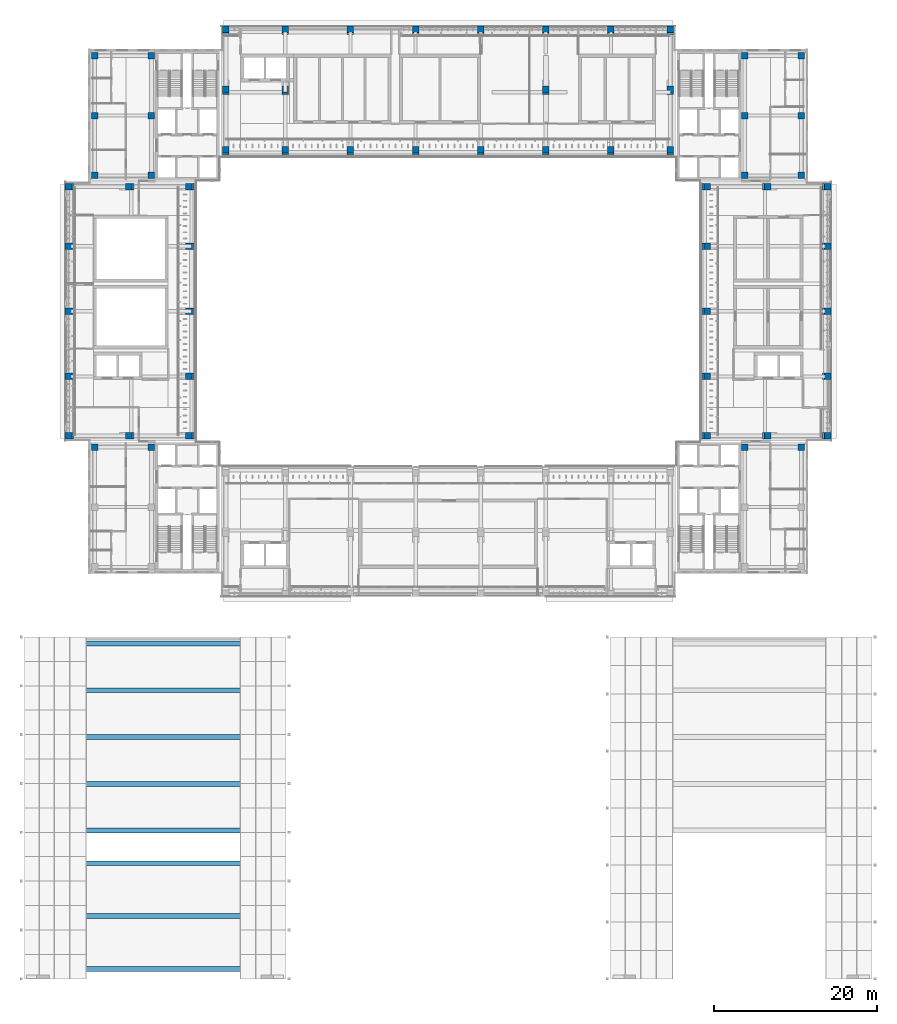
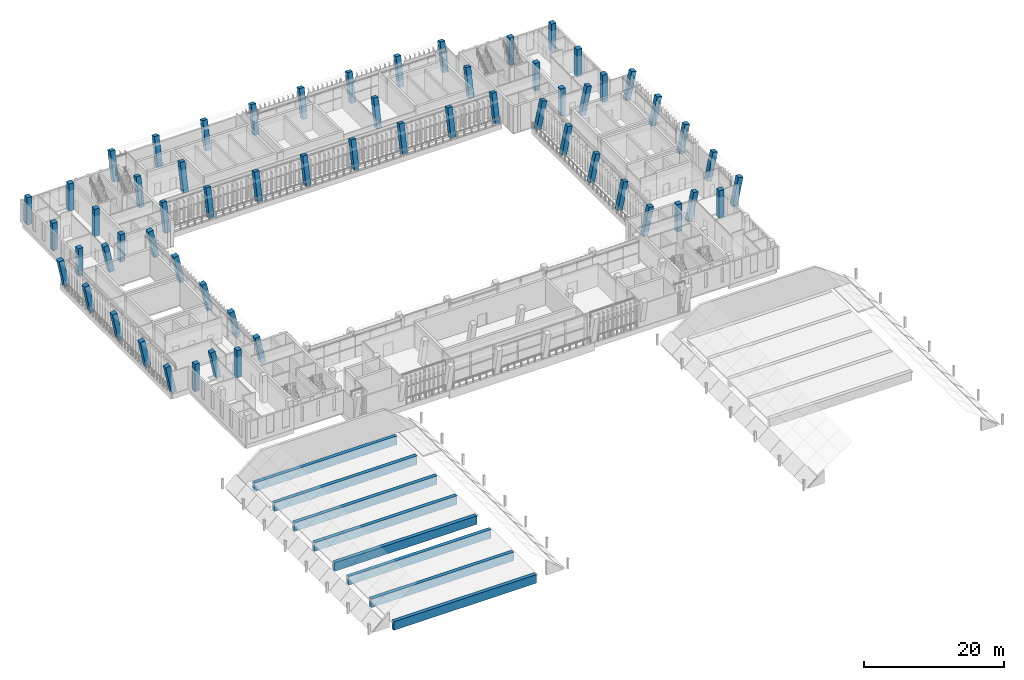
# One storey, part 9 of 89: 60 columns, 8 beams.
"""IFC4 building model written with IfcOpenShell, lengths in metres."""

from ifc_helpers import new_model, si_unit, direction, frame, origin, origin_2d, place, context, subcontext, project, spatial, rectangle, extrude, material, material_profile, profile_set, type_object, element, save


model = new_model("IFC4")

# Units and contexts
model_context = context("Model", 3, precision=1e-05, world=origin(), true_north=direction((0.0, 1.0)))
body_context = subcontext(model_context, "Body", "Model", "MODEL_VIEW")
ifc_project = project(units=[si_unit("LENGTHUNIT", "METRE"), si_unit("AREAUNIT", "SQUARE_METRE"), si_unit("VOLUMEUNIT", "CUBIC_METRE"), si_unit("PLANEANGLEUNIT", "RADIAN"), si_unit("MASSUNIT", "GRAM", prefix="KILO")], contexts=[model_context])

# Site, building, storey
site_placement = place(None, origin())
site = spatial("IfcSite", under=ifc_project, at=site_placement, CompositionType="ELEMENT")
building_placement = place(site_placement, origin())
building = spatial("IfcBuilding", under=site, at=building_placement, Name="Lantern Court Media Centre", CompositionType="ELEMENT")
storey_placement = place(building_placement, frame((0.0, 0.0, 14.39990234375)))
storey = spatial("IfcBuildingStorey", under=building, at=storey_placement, Name="L03", CompositionType="ELEMENT", Elevation=14.39990234375)

# Columns
ifc_material = material(Name="Concrete C35", Category="concrete")
ifc_material_profile_1 = material_profile(ifc_material, rectangle(XDim=0.800048828125, YDim=0.800048828125, at=origin_2d()), Name="RC 800x800")
ifc_profile_set_1 = profile_set([ifc_material_profile_1], Name="Concrete C35")
column_type = type_object("IfcColumnType", Name="RC COLUMN 800x800", PredefinedType="COLUMN", material=ifc_profile_set_1)
for number, where, z_axis, x_axis, name in (
    (1, (8.60009765625, 63.300048828125, 0.0), (0.0, 0.0, 1.0), (1.0, 0.0, 0.0), "C-SW-2-L03"),
    (2, (15.550048828125, 63.300048828125, 0.0), (0.0, 0.0, 1.0), (1.0, 0.0, 0.0), "C-SW-5-L03"),
    (3, (88.449951171875, 63.300048828125, 0.0), (0.0, 0.0, 1.0), (1.0, 0.0, 0.0), "C-SE-2-L03"),
    (4, (95.39990234375, 63.300048828125, 0.0), (0.0, 0.0, 1.0), (1.0, 0.0, 0.0), "C-SE-5-L03"),
    (5, (8.60009765625, 96.699951171875, 0.0), (0.0, 0.0, 1.0), (1.0, 0.0, 0.0), "C-NW-0-L03"),
    (6, (8.60009765625, 104.050048828125, 0.0), (0.0, 0.0, 1.0), (1.0, 0.0, 0.0), "C-NW-1-L03"),
    (7, (8.60009765625, 111.39990234375, 0.0), (0.0, 0.0, 1.0), (1.0, 0.0, 0.0), "C-NW-2-L03"),
    (8, (15.550048828125, 96.699951171875, 0.0), (0.0, 0.0, 1.0), (1.0, 0.0, 0.0), "C-NW-3-L03"),
    (9, (15.550048828125, 104.050048828125, 0.0), (0.0, 0.0, 1.0), (1.0, 0.0, 0.0), "C-NW-4-L03"),
    (10, (15.550048828125, 111.39990234375, 0.0), (0.0, 0.0, 1.0), (1.0, 0.0, 0.0), "C-NW-5-L03"),
    (11, (88.449951171875, 96.699951171875, 0.0), (0.0, 0.0, 1.0), (1.0, 0.0, 0.0), "C-NE-0-L03"),
    (12, (88.449951171875, 104.050048828125, 0.0), (0.0, 0.0, 1.0), (1.0, 0.0, 0.0), "C-NE-1-L03"),
    (13, (88.449951171875, 111.39990234375, 0.0), (0.0, 0.0, 1.0), (1.0, 0.0, 0.0), "C-NE-2-L03"),
    (14, (95.39990234375, 96.699951171875, 0.0), (0.0, 0.0, 1.0), (1.0, 0.0, 0.0), "C-NE-3-L03"),
    (15, (95.39990234375, 104.050048828125, 0.0), (0.0, 0.0, 1.0), (1.0, 0.0, 0.0), "C-NE-4-L03"),
    (16, (95.39990234375, 111.39990234375, 0.0), (0.0, 0.0, 1.0), (1.0, 0.0, 0.0), "C-NE-5-L03"),
):
    element("IfcColumn", number, at=place(storey_placement, frame(where, z_axis=z_axis, x_axis=x_axis)), inside=storey, type_object=column_type, Name=name, PredefinedType="COLUMN", context=body_context, shape_type="SweptSolid", body=[
        extrude(rectangle(XDim=0.800048828125, YDim=0.800048828125, at=origin_2d()), origin(), (0.0, 0.0, 1.0), 4.800048828125),
    ])
for number, where, z_axis, x_axis, name in (
    (17, (24.699951171875, 99.60009765625, 0.0), (0.0, 0.203952265704, 0.978980833987), (-1.0, 0.0, 0.0), "C-N-0-0-L03"),
    (18, (32.0, 99.60009765625, 0.0), (0.0, 0.203952265704, 0.978980833987), (-1.0, 0.0, 0.0), "C-N-0-1-L03"),
    (19, (40.0, 99.60009765625, 0.0), (0.0, 0.203952265704, 0.978980833987), (-1.0, 0.0, 0.0), "C-N-0-2-L03"),
    (20, (48.0, 99.60009765625, 0.0), (0.0, 0.203952265704, 0.978980833987), (-1.0, 0.0, 0.0), "C-N-0-3-L03"),
    (21, (56.0, 99.60009765625, 0.0), (0.0, 0.203952265704, 0.978980833987), (-1.0, 0.0, 0.0), "C-N-0-4-L03"),
    (22, (64.0, 99.60009765625, 0.0), (0.0, 0.203952265704, 0.978980833987), (-1.0, 0.0, 0.0), "C-N-0-5-L03"),
    (23, (72.0, 99.60009765625, 0.0), (0.0, 0.203952265704, 0.978980833987), (-1.0, 0.0, 0.0), "C-N-0-6-L03"),
    (24, (79.300048828125, 99.60009765625, 0.0), (0.0, 0.203952265704, 0.978980833987), (-1.0, 0.0, 0.0), "C-N-0-7-L03"),
    (25, (24.699951171875, 107.0, 0.0), (0.0, 0.203952265704, 0.978980833987), (-1.0, 0.0, 0.0), "C-N-1-0-L03"),
    (26, (32.0, 107.0, 0.0), (0.0, 0.203952265704, 0.978980833987), (-1.0, 0.0, 0.0), "C-N-1-1-L03"),
    (27, (64.0, 107.0, 0.0), (0.0, 0.203952265704, 0.978980833987), (-1.0, 0.0, 0.0), "C-N-1-5-L03"),
    (28, (79.300048828125, 107.0, 0.0), (0.0, 0.203952265704, 0.978980833987), (-1.0, 0.0, 0.0), "C-N-1-7-L03"),
    (29, (24.699951171875, 114.39990234375, 0.0), (0.0, 0.203952265704, 0.978980833987), (-1.0, 0.0, 0.0), "C-N-2-0-L03"),
    (30, (32.0, 114.39990234375, 0.0), (0.0, 0.203952265704, 0.978980833987), (-1.0, 0.0, 0.0), "C-N-2-1-L03"),
    (31, (40.0, 114.39990234375, 0.0), (0.0, 0.203952265704, 0.978980833987), (-1.0, 0.0, 0.0), "C-N-2-2-L03"),
    (32, (48.0, 114.39990234375, 0.0), (0.0, 0.203952265704, 0.978980833987), (-1.0, 0.0, 0.0), "C-N-2-3-L03"),
    (33, (56.0, 114.39990234375, 0.0), (0.0, 0.203952265704, 0.978980833987), (-1.0, 0.0, 0.0), "C-N-2-4-L03"),
    (34, (64.0, 114.39990234375, 0.0), (0.0, 0.203952265704, 0.978980833987), (-1.0, 0.0, 0.0), "C-N-2-5-L03"),
    (35, (72.0, 114.39990234375, 0.0), (0.0, 0.203952265704, 0.978980833987), (-1.0, 0.0, 0.0), "C-N-2-6-L03"),
    (36, (79.300048828125, 114.39990234375, 0.0), (0.0, 0.203952265704, 0.978980833987), (-1.0, 0.0, 0.0), "C-N-2-7-L03"),
    (37, (5.60009765625, 64.699951171875, 0.0), (-0.203952265704, 0.0, 0.978980833987), (0.0, -1.0, 0.0), "C-W-0-0-L03"),
    (38, (5.60009765625, 72.0, 0.0), (-0.203952265704, 0.0, 0.978980833987), (0.0, -1.0, 0.0), "C-W-0-1-L03"),
    (39, (5.60009765625, 80.0, 0.0), (-0.203952265704, 0.0, 0.978980833987), (0.0, -1.0, 0.0), "C-W-0-2-L03"),
    (40, (5.60009765625, 88.0, 0.0), (-0.203952265704, 0.0, 0.978980833987), (0.0, -1.0, 0.0), "C-W-0-3-L03"),
    (41, (5.60009765625, 95.300048828125, 0.0), (-0.203952265704, 0.0, 0.978980833987), (0.0, -1.0, 0.0), "C-W-0-4-L03"),
    (42, (13.0, 64.699951171875, 0.0), (-0.203952265704, 0.0, 0.978980833987), (0.0, -1.0, 0.0), "C-W-1-0-L03"),
    (43, (13.0, 95.300048828125, 0.0), (-0.203952265704, 0.0, 0.978980833987), (0.0, -1.0, 0.0), "C-W-1-4-L03"),
    (44, (20.39990234375, 64.699951171875, 0.0), (-0.203952265704, 0.0, 0.978980833987), (0.0, -1.0, 0.0), "C-W-2-0-L03"),
    (45, (20.39990234375, 72.0, 0.0), (-0.203952265704, 0.0, 0.978980833987), (0.0, -1.0, 0.0), "C-W-2-1-L03"),
    (46, (20.39990234375, 80.0, 0.0), (-0.203952265704, 0.0, 0.978980833987), (0.0, -1.0, 0.0), "C-W-2-2-L03"),
    (47, (20.39990234375, 88.0, 0.0), (-0.203952265704, 0.0, 0.978980833987), (0.0, -1.0, 0.0), "C-W-2-3-L03"),
    (48, (20.39990234375, 95.300048828125, 0.0), (-0.203952265704, 0.0, 0.978980833987), (0.0, -1.0, 0.0), "C-W-2-4-L03"),
    (49, (83.60009765625, 64.699951171875, 0.0), (0.203952265704, 0.0, 0.978980833987), (0.0, 1.0, 0.0), "C-E-0-0-L03"),
    (50, (83.60009765625, 72.0, 0.0), (0.203952265704, 0.0, 0.978980833987), (0.0, 1.0, 0.0), "C-E-0-1-L03"),
    (51, (83.60009765625, 80.0, 0.0), (0.203952265704, 0.0, 0.978980833987), (0.0, 1.0, 0.0), "C-E-0-2-L03"),
    (52, (83.60009765625, 88.0, 0.0), (0.203952265704, 0.0, 0.978980833987), (0.0, 1.0, 0.0), "C-E-0-3-L03"),
    (53, (83.60009765625, 95.300048828125, 0.0), (0.203952265704, 0.0, 0.978980833987), (0.0, 1.0, 0.0), "C-E-0-4-L03"),
    (54, (91.0, 64.699951171875, 0.0), (0.203952265704, 0.0, 0.978980833987), (0.0, 1.0, 0.0), "C-E-1-0-L03"),
    (55, (91.0, 95.300048828125, 0.0), (0.203952265704, 0.0, 0.978980833987), (0.0, 1.0, 0.0), "C-E-1-4-L03"),
    (56, (98.39990234375, 64.699951171875, 0.0), (0.203952265704, 0.0, 0.978980833987), (0.0, 1.0, 0.0), "C-E-2-0-L03"),
    (57, (98.39990234375, 72.0, 0.0), (0.203952265704, 0.0, 0.978980833987), (0.0, 1.0, 0.0), "C-E-2-1-L03"),
    (58, (98.39990234375, 80.0, 0.0), (0.203952265704, 0.0, 0.978980833987), (0.0, 1.0, 0.0), "C-E-2-2-L03"),
    (59, (98.39990234375, 88.0, 0.0), (0.203952265704, 0.0, 0.978980833987), (0.0, 1.0, 0.0), "C-E-2-3-L03"),
    (60, (98.39990234375, 95.300048828125, 0.0), (0.203952265704, 0.0, 0.978980833987), (0.0, 1.0, 0.0), "C-E-2-4-L03"),
):
    element("IfcColumn", number, at=place(storey_placement, frame(where, z_axis=z_axis, x_axis=x_axis)), inside=storey, type_object=column_type, Name=name, PredefinedType="COLUMN", context=body_context, shape_type="SweptSolid", body=[
        extrude(rectangle(XDim=0.800048828125, YDim=0.800048828125, at=origin_2d()), origin(), (0.0, 0.0, 1.0), 4.903076171875),
    ])

# Beams
ifc_material_profile_2 = material_profile(ifc_material, rectangle(XDim=0.60009765625, YDim=1.5, at=origin_2d()), Name="RC 600x1500")
ifc_profile_set_2 = profile_set([ifc_material_profile_2], Name="Concrete C35")
beam_type = type_object("IfcBeamType", Name="RC BEAM 600x1500", PredefinedType="BEAM", material=ifc_profile_set_2)
for number, where, z_axis, x_axis, name in (
    (61, (4.199951171875, 16.199951171875, -0.75), (1.0, 0.0, 0.0), (0.0, 1.0, 0.0), "RB-V1-V1-SC1-0"),
    (62, (4.199951171875, 21.949951171875, -0.75), (1.0, 0.0, 0.0), (0.0, 1.0, 0.0), "RB-V1-V1-SC1-1"),
    (63, (4.199951171875, 27.699951171875, -0.75), (1.0, 0.0, 0.0), (0.0, 1.0, 0.0), "RB-V1-V1-SC1-2"),
    (64, (4.199951171875, 33.449951171875, -0.75), (1.0, 0.0, 0.0), (0.0, 1.0, 0.0), "RB-V1-V1-SC1-3"),
    (65, (4.199951171875, 39.199951171875, -0.75), (1.0, 0.0, 0.0), (0.0, 1.0, 0.0), "RB-V1-V1-SC1-4"),
    (66, (4.199951171875, -0.800048828125, -0.75), (1.0, 0.0, 0.0), (0.0, 1.0, 0.0), "RB-V1-V1-SC2-0"),
    (67, (4.199951171875, 5.699951171875, -0.75), (1.0, 0.0, 0.0), (0.0, 1.0, 0.0), "RB-V1-V1-SC2-1"),
    (68, (4.199951171875, 12.199951171875, -0.75), (1.0, 0.0, 0.0), (0.0, 1.0, 0.0), "RB-V1-V1-SC2-2"),
):
    element("IfcBeam", number, at=place(storey_placement, frame(where, z_axis=z_axis, x_axis=x_axis)), inside=storey, type_object=beam_type, Name=name, PredefinedType="BEAM", context=body_context, shape_type="SweptSolid", body=[
        extrude(rectangle(XDim=0.60009765625, YDim=1.5, at=origin_2d()), origin(), (0.0, 0.0, 1.0), 23.60009765625),
    ])

save(model, "model.ifc")
